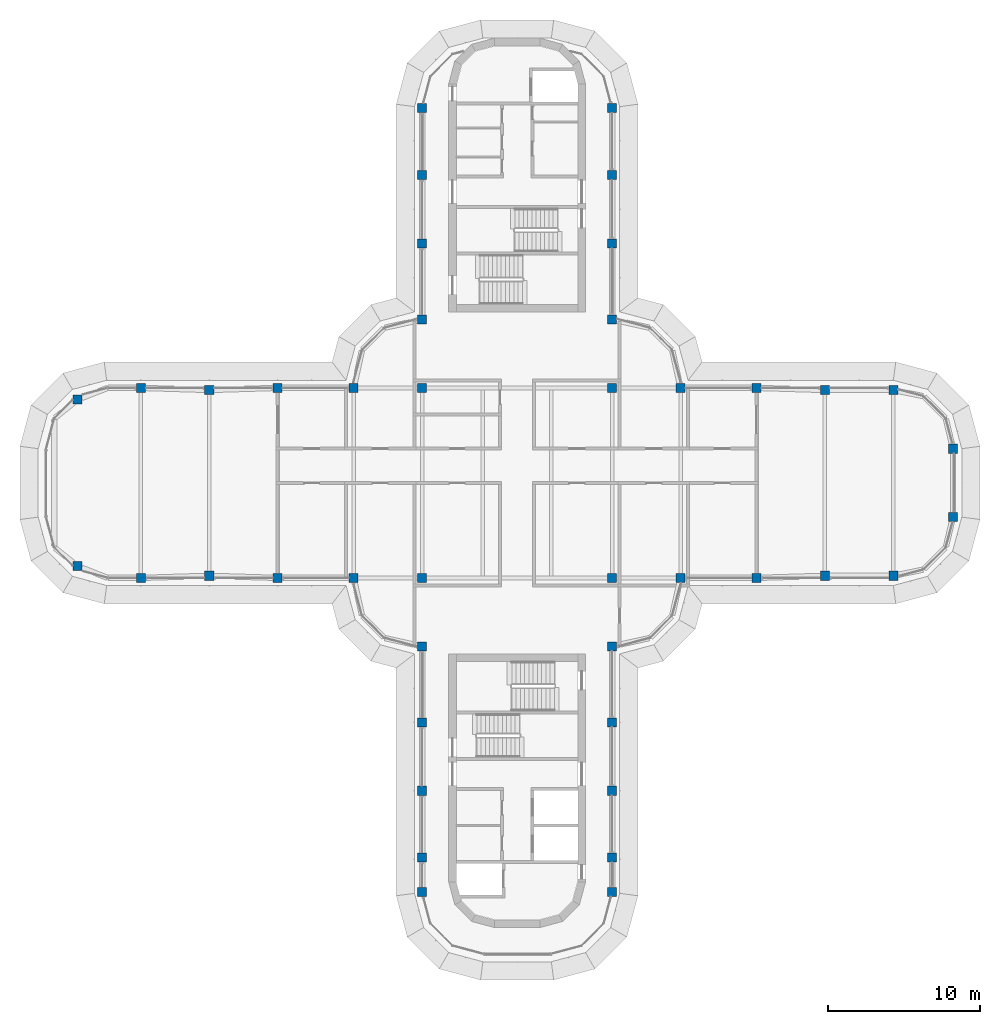
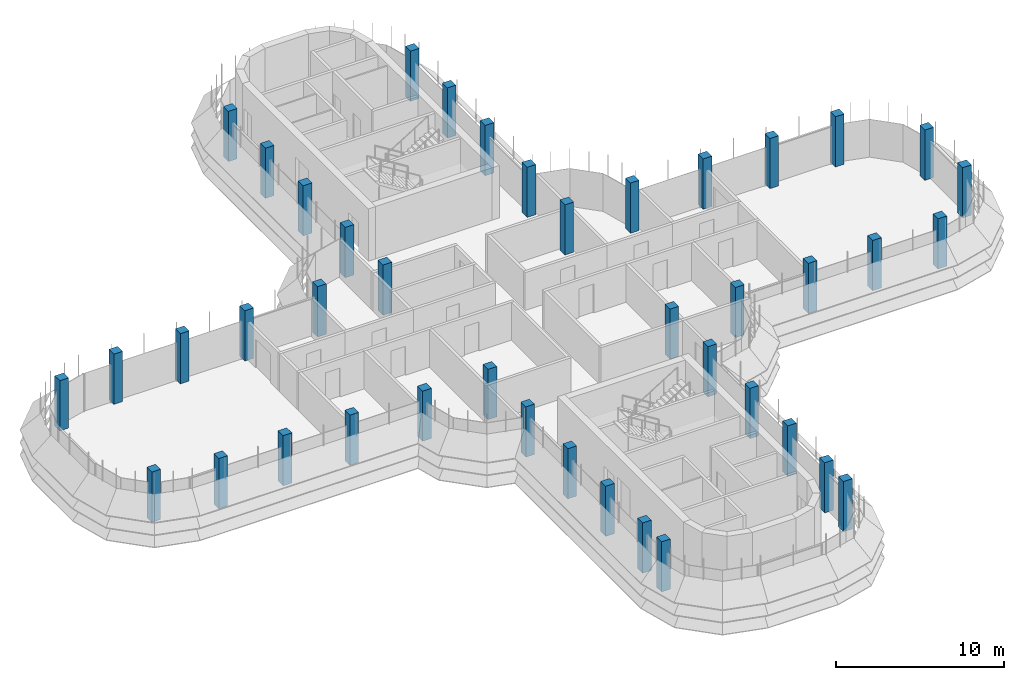
# One storey, part 1 of 19: 42 columns.
"""IFC4 building model written with IfcOpenShell, lengths in metres."""

from ifc_helpers import new_model, si_unit, direction, frame, origin, origin_2d, place, context, subcontext, project, spatial, rectangle, extrude, material, material_profile, profile_set, type_object, element, save


model = new_model("IFC4")

# Units and contexts
model_context = context("Model", 3, precision=1e-05, world=origin(), true_north=direction((0.0, 1.0)))
body_context = subcontext(model_context, "Body", "Model", "MODEL_VIEW")
ifc_project = project(units=[si_unit("LENGTHUNIT", "METRE"), si_unit("AREAUNIT", "SQUARE_METRE"), si_unit("VOLUMEUNIT", "CUBIC_METRE"), si_unit("PLANEANGLEUNIT", "RADIAN"), si_unit("MASSUNIT", "GRAM", prefix="KILO")], contexts=[model_context])

# Site, building, storey
site_placement = place(None, origin())
site = spatial("IfcSite", under=ifc_project, at=site_placement, CompositionType="ELEMENT")
building_placement = place(site_placement, origin())
building = spatial("IfcBuilding", under=site, at=building_placement, Name="Zarbagh Exchange Tower", CompositionType="ELEMENT")
storey_placement = place(building_placement, frame((0.0, 0.0, 253.60009765625)))
storey = spatial("IfcBuildingStorey", under=building, at=storey_placement, Name="L62", CompositionType="ELEMENT", Elevation=253.60009765625)

# Columns
ifc_material = material(Name="Concrete C40/50", Category="concrete")
ifc_material_profile = material_profile(ifc_material, rectangle(XDim=0.60009765625, YDim=0.60009765625, at=origin_2d()), Name="RC column 600 x 600 C40/50")
ifc_profile_set = profile_set([ifc_material_profile], Name="Concrete C40/50")
column_type = type_object("IfcColumnType", Name="RC column 600 x 600 C40/50", PredefinedType="COLUMN", material=ifc_profile_set)
for number, where, z_axis, x_axis, name in (
    (1, (-28.907958984375, -5.47509765625, 0.0), (0.0, 0.0, 1.0), (1.0, 0.0, 0.0), "C6 11/R"),
    (2, (-28.907958984375, 5.47509765625, 0.0), (0.0, 0.0, 1.0), (1.0, 0.0, 0.0), "C6 11/U"),
    (3, (-24.75, -6.25, 0.0), (0.0, 0.0, 1.0), (1.0, 0.0, 0.0), "C6 12/R"),
    (4, (-24.75, 6.25, 0.0), (0.0, 0.0, 1.0), (1.0, 0.0, 0.0), "C6 12/U"),
    (5, (-20.25, -6.110107421875, 0.0), (0.0, 0.0, 1.0), (1.0, 0.0, 0.0), "C6 13/R"),
    (6, (-20.25, 6.110107421875, 0.0), (0.0, 0.0, 1.0), (1.0, 0.0, 0.0), "C6 13/U"),
    (7, (-15.75, -6.25, 0.0), (0.0, 0.0, 1.0), (1.0, 0.0, 0.0), "C6 14/R"),
    (8, (-15.75, 6.25, 0.0), (0.0, 0.0, 1.0), (1.0, 0.0, 0.0), "C6 14/U"),
    (9, (-10.75, -6.25, 0.0), (0.0, 0.0, 1.0), (1.0, 0.0, 0.0), "C6 15/R"),
    (10, (-10.75, 6.25, 0.0), (0.0, 0.0, 1.0), (1.0, 0.0, 0.0), "C6 15/U"),
    (11, (-6.25, -26.89990234375, 0.0), (0.0, 0.0, 1.0), (1.0, 0.0, 0.0), "C6 16/L"),
    (12, (-6.25, -24.64990234375, 0.0), (0.0, 0.0, 1.0), (1.0, 0.0, 0.0), "C6 16/M"),
    (13, (-6.25, -20.25, 0.0), (0.0, 0.0, 1.0), (1.0, 0.0, 0.0), "C6 16/N"),
    (14, (-6.25, -15.75, 0.0), (0.0, 0.0, 1.0), (1.0, 0.0, 0.0), "C6 16/P"),
    (15, (-6.25, -10.75, 0.0), (0.0, 0.0, 1.0), (1.0, 0.0, 0.0), "C6 16/Q"),
    (16, (-6.25, -6.25, 0.0), (0.0, 0.0, 1.0), (1.0, 0.0, 0.0), "C6 16/R"),
    (17, (-6.25, 6.25, 0.0), (0.0, 0.0, 1.0), (1.0, 0.0, 0.0), "C6 16/U"),
    (18, (-6.25, 10.75, 0.0), (0.0, 0.0, 1.0), (1.0, 0.0, 0.0), "C6 16/V"),
    (19, (-6.25, 15.75, 0.0), (0.0, 0.0, 1.0), (1.0, 0.0, 0.0), "C6 16/W"),
    (20, (-6.25, 20.25, 0.0), (0.0, 0.0, 1.0), (1.0, 0.0, 0.0), "C6 16/X"),
    (21, (-6.25, 24.64990234375, 0.0), (0.0, 0.0, 1.0), (1.0, 0.0, 0.0), "C6 16/Y"),
    (22, (6.25, -26.89990234375, 0.0), (0.0, 0.0, 1.0), (1.0, 0.0, 0.0), "C6 19/L"),
    (23, (6.25, -24.64990234375, 0.0), (0.0, 0.0, 1.0), (1.0, 0.0, 0.0), "C6 19/M"),
    (24, (6.25, -20.25, 0.0), (0.0, 0.0, 1.0), (1.0, 0.0, 0.0), "C6 19/N"),
    (25, (6.25, -15.75, 0.0), (0.0, 0.0, 1.0), (1.0, 0.0, 0.0), "C6 19/P"),
    (26, (6.25, -10.75, 0.0), (0.0, 0.0, 1.0), (1.0, 0.0, 0.0), "C6 19/Q"),
    (27, (6.25, -6.25, 0.0), (0.0, 0.0, 1.0), (1.0, 0.0, 0.0), "C6 19/R"),
    (28, (6.25, 6.25, 0.0), (0.0, 0.0, 1.0), (1.0, 0.0, 0.0), "C6 19/U"),
    (29, (6.25, 10.75, 0.0), (0.0, 0.0, 1.0), (1.0, 0.0, 0.0), "C6 19/V"),
    (30, (6.25, 15.75, 0.0), (0.0, 0.0, 1.0), (1.0, 0.0, 0.0), "C6 19/W"),
    (31, (6.25, 20.25, 0.0), (0.0, 0.0, 1.0), (1.0, 0.0, 0.0), "C6 19/X"),
    (32, (6.25, 24.64990234375, 0.0), (0.0, 0.0, 1.0), (1.0, 0.0, 0.0), "C6 19/Y"),
    (33, (10.75, -6.25, 0.0), (0.0, 0.0, 1.0), (1.0, 0.0, 0.0), "C6 20/R"),
    (34, (10.75, 6.25, 0.0), (0.0, 0.0, 1.0), (1.0, 0.0, 0.0), "C6 20/U"),
    (35, (15.75, -6.25, 0.0), (0.0, 0.0, 1.0), (1.0, 0.0, 0.0), "C6 21/R"),
    (36, (15.75, 6.25, 0.0), (0.0, 0.0, 1.0), (1.0, 0.0, 0.0), "C6 21/U"),
    (37, (20.25, -6.110107421875, 0.0), (0.0, 0.0, 1.0), (1.0, 0.0, 0.0), "C6 22/R"),
    (38, (20.25, 6.110107421875, 0.0), (0.0, 0.0, 1.0), (1.0, 0.0, 0.0), "C6 22/U"),
    (39, (24.75, -6.110107421875, 0.0), (0.0, 0.0, 1.0), (1.0, 0.0, 0.0), "C6 23/R"),
    (40, (24.75, 6.110107421875, 0.0), (0.0, 0.0, 1.0), (1.0, 0.0, 0.0), "C6 23/U"),
    (41, (28.669921875, -2.25, 0.0), (0.0, 0.0, 1.0), (1.0, 0.0, 0.0), "C6 24/S"),
    (42, (28.669921875, 2.25, 0.0), (0.0, 0.0, 1.0), (1.0, 0.0, 0.0), "C6 24/T"),
):
    element("IfcColumn", number, at=place(storey_placement, frame(where, z_axis=z_axis, x_axis=x_axis)), inside=storey, type_object=column_type, Name=name, PredefinedType="COLUMN", context=body_context, shape_type="SweptSolid", body=[
        extrude(rectangle(XDim=0.60009765625, YDim=0.60009765625, at=origin_2d()), origin(), (0.0, 0.0, 1.0), 3.64990234375),
    ])

save(model, "model.ifc")
